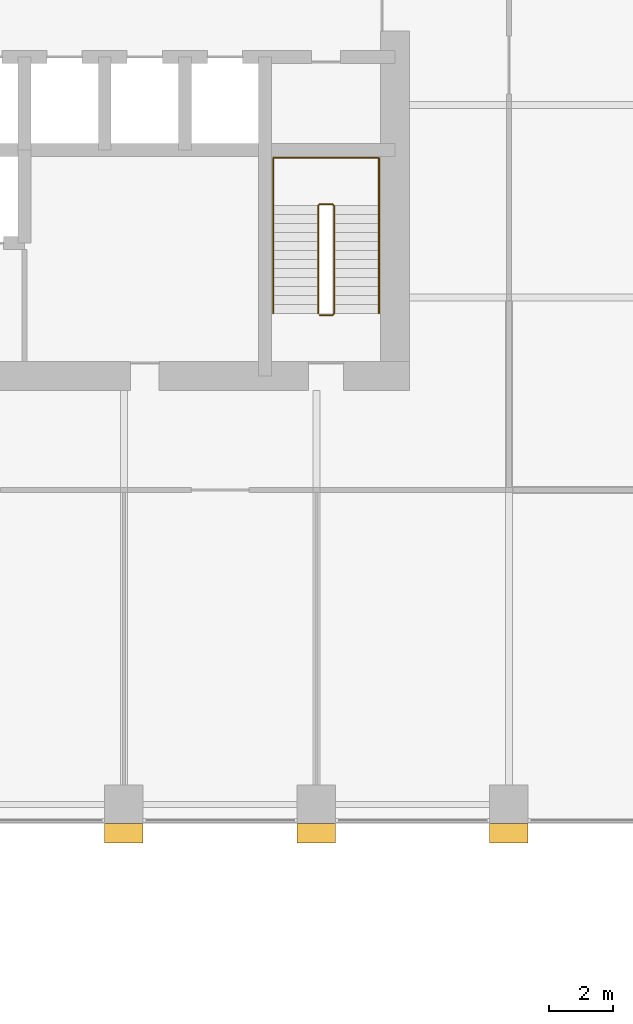
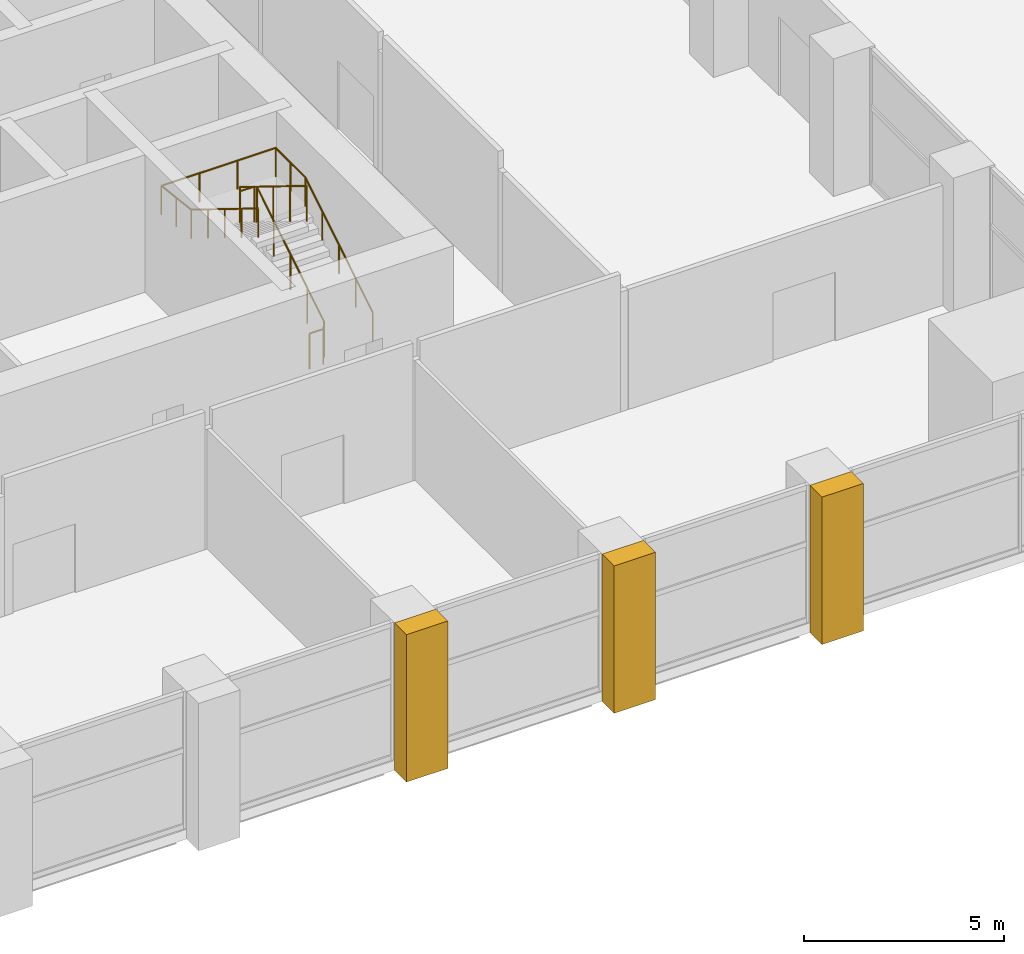
# One storey, part 30 of 34: 3 coverings, 2 railings.
"""IFC4 building model written with IfcOpenShell, lengths in metres."""

from ifc_helpers import new_model, si_unit, direction, frame, origin, origin_2d, place, context, subcontext, project, spatial, polyline, circle, outline, extrude, material, layer, layer_set, type_object, element, save


model = new_model("IFC4")

# Units and contexts
model_context = context("Model", 3, precision=1e-05, world=origin(), true_north=direction((0.0, 1.0)))
body_context = subcontext(model_context, "Body", "Model", "MODEL_VIEW")
ifc_project = project(units=[si_unit("LENGTHUNIT", "METRE"), si_unit("AREAUNIT", "SQUARE_METRE"), si_unit("VOLUMEUNIT", "CUBIC_METRE"), si_unit("PLANEANGLEUNIT", "RADIAN"), si_unit("MASSUNIT", "GRAM", prefix="KILO")], contexts=[model_context])

# Site, building, storey
site_placement = place(None, origin())
site = spatial("IfcSite", under=ifc_project, at=site_placement, CompositionType="ELEMENT")
building_placement = place(site_placement, origin())
building = spatial("IfcBuilding", under=site, at=building_placement, Name="Amberfall Residences", CompositionType="ELEMENT")
storey_placement = place(building_placement, frame((0.0, 0.0, 5.5)))
storey = spatial("IfcBuildingStorey", under=building, at=storey_placement, Name="L01", CompositionType="ELEMENT", Elevation=5.5)

# Coverings
ifc_material_1 = material(Name="Pale stone cladding on insulated backing", Category="masonry")
ifc_layer = layer(ifc_material_1, 1.199951171875)
ifc_layer_set = layer_set([ifc_layer], Name="Podium stone pier 1200 x 600")
covering_type = type_object("IfcCoveringType", Name="Podium stone pier 1200 x 600", PredefinedType="CLADDING", material=ifc_layer_set)
covering_1_placement = place(storey_placement, frame((0.0, 0.0, -0.300048828125)))
element("IfcCovering", 1, at=covering_1_placement, inside=storey, type_object=covering_type, Name="Podium pier L01 S4", PredefinedType="CLADDING", context=body_context, shape_type="SweptSolid", body=[
    extrude(outline(polyline([(77.0, 20.0), (78.199951171875, 20.0), (78.199951171875, 19.39990234375), (77.0, 19.39990234375), (77.0, 20.0)])), origin(), (0.0, 0.0, 1.0), 4.5),
])
covering_2_placement = place(storey_placement, frame((0.0, 0.0, -0.300048828125)))
element("IfcCovering", 2, at=covering_2_placement, inside=storey, type_object=covering_type, Name="Podium pier L01 S5", PredefinedType="CLADDING", context=body_context, shape_type="SweptSolid", body=[
    extrude(outline(polyline([(83.0, 20.0), (84.199951171875, 20.0), (84.199951171875, 19.39990234375), (83.0, 19.39990234375), (83.0, 20.0)])), origin(), (0.0, 0.0, 1.0), 4.5),
])
covering_3_placement = place(storey_placement, frame((0.0, 0.0, -0.300048828125)))
element("IfcCovering", 3, at=covering_3_placement, inside=storey, type_object=covering_type, Name="Podium pier L01 S6", PredefinedType="CLADDING", context=body_context, shape_type="SweptSolid", body=[
    extrude(outline(polyline([(89.0, 20.0), (90.199951171875, 20.0), (90.199951171875, 19.39990234375), (89.0, 19.39990234375), (89.0, 20.0)])), origin(), (0.0, 0.0, 1.0), 4.5),
])

# Railings
ifc_material_2 = material(Name="Stainless steel 316", Category="steel")
railing_type_1 = type_object("IfcRailingType", Name="Stair guard 1100", PredefinedType="GUARDRAIL", material=ifc_material_2)
railing_1_placement = place(storey_placement, frame((83.699951171875, 35.85009765625, 0.0)))
element("IfcRailing", 4, at=railing_1_placement, inside=storey, type_object=railing_type_1, Name="L01 stair 2 guard", PredefinedType="GUARDRAIL", context=body_context, shape_type="SweptSolid", body=[
    extrude(circle(Radius=0.02392578125, at=origin_2d()), frame((0.0, 0.0, 1.076171875), z_axis=(1.0, 0.0, 0.0), x_axis=(0.0, 1.0, 0.0)), (0.0, 0.0, 1.0), 0.400146484375),
    extrude(circle(Radius=0.02392578125, at=origin_2d()), frame((0.400146484375, 0.0, 1.076171875), z_axis=(0.26651005591, 0.26651005591, 0.926253086471), x_axis=(-0.707106781187, 0.707106781187, 0.0)), (0.0, 0.0, 1.0), 0.186767578125),
    extrude(circle(Radius=0.02392578125, at=origin_2d()), frame((0.449951171875, 0.0498046875, 1.2490234375), z_axis=(0.0, 0.850623216509, 0.525775754039), x_axis=(-1.0, 0.0, 0.0)), (0.0, 0.0, 1.0), 3.9501953125),
    extrude(circle(Radius=0.02392578125, at=origin_2d()), frame((0.449951171875, 3.409912109375, 3.326171875), z_axis=(-0.705375805398, 0.708833529934, 0.0), x_axis=(-0.708833529934, -0.705375805398, 0.0)), (0.0, 0.0, 1.0), 0.070556640625),
    extrude(circle(Radius=0.02392578125, at=origin_2d()), frame((0.400146484375, 3.4599609375, 3.326171875), z_axis=(-1.0, 0.0, 0.0), x_axis=(0.0, -1.0, 0.0)), (0.0, 0.0, 1.0), 0.400146484375),
    extrude(circle(Radius=0.02392578125, at=origin_2d()), frame((0.0, 3.4599609375, 3.326171875), z_axis=(-0.267629722418, -0.267629722418, 0.925607186314), x_axis=(0.707106781187, -0.707106781187, 0.0)), (0.0, 0.0, 1.0), 0.18701171875),
    extrude(circle(Radius=0.02392578125, at=origin_2d()), frame((-0.050048828125, 3.409912109375, 3.4990234375), z_axis=(0.0, -0.850623216509, 0.525775754039), x_axis=(1.0, 0.0, 0.0)), (0.0, 0.0, 1.0), 3.9501953125),
    extrude(circle(Radius=0.02099609375, at=origin_2d()), origin(), (0.0, 0.0, 1.0), 1.052001953125),
    extrude(circle(Radius=0.02099609375, at=origin_2d()), frame((0.400146484375, 0.0, 0.0)), (0.0, 0.0, 1.0), 1.052001953125),
    extrude(circle(Radius=0.02099609375, at=origin_2d()), frame((0.449951171875, 0.0498046875, 0.173095703125)), (0.0, 0.0, 1.0), 1.052001953125),
    extrude(circle(Radius=0.02099609375, at=origin_2d()), frame((0.449951171875, 0.889892578125, 0.6923828125)), (0.0, 0.0, 1.0), 1.052001953125),
    extrude(circle(Radius=0.02099609375, at=origin_2d()), frame((0.449951171875, 1.72998046875, 1.21142578125)), (0.0, 0.0, 1.0), 1.052001953125),
    extrude(circle(Radius=0.02099609375, at=origin_2d()), frame((0.449951171875, 2.56982421875, 1.730712890625)), (0.0, 0.0, 1.0), 1.052001953125),
    extrude(circle(Radius=0.02099609375, at=origin_2d()), frame((0.449951171875, 3.409912109375, 2.25)), (0.0, 0.0, 1.0), 1.052001953125),
    extrude(circle(Radius=0.02099609375, at=origin_2d()), frame((0.400146484375, 3.4599609375, 2.25)), (0.0, 0.0, 1.0), 1.052001953125),
    extrude(circle(Radius=0.02099609375, at=origin_2d()), frame((0.0, 3.4599609375, 2.25)), (0.0, 0.0, 1.0), 1.052001953125),
    extrude(circle(Radius=0.02099609375, at=origin_2d()), frame((-0.050048828125, 3.409912109375, 2.423095703125)), (0.0, 0.0, 1.0), 1.052001953125),
    extrude(circle(Radius=0.02099609375, at=origin_2d()), frame((-0.050048828125, 2.56982421875, 2.9423828125)), (0.0, 0.0, 1.0), 1.052001953125),
    extrude(circle(Radius=0.02099609375, at=origin_2d()), frame((-0.050048828125, 1.72998046875, 3.46142578125)), (0.0, 0.0, 1.0), 1.052001953125),
    extrude(circle(Radius=0.02099609375, at=origin_2d()), frame((-0.050048828125, 0.889892578125, 3.980712890625)), (0.0, 0.0, 1.0), 1.052001953125),
    extrude(circle(Radius=0.02099609375, at=origin_2d()), frame((-0.050048828125, 0.0498046875, 4.5)), (0.0, 0.0, 1.0), 1.052001953125),
])
railing_type_2 = type_object("IfcRailingType", Name="Stair handrail 900", PredefinedType="HANDRAIL", material=ifc_material_2)
railing_2_placement = place(storey_placement, frame((85.550048828125, 35.89990234375, 0.173095703125)))
element("IfcRailing", 5, at=railing_2_placement, inside=storey, type_object=railing_type_2, Name="L01 stair 2 handrail", PredefinedType="HANDRAIL", context=body_context, shape_type="SweptSolid", body=[
    extrude(circle(Radius=0.02392578125, at=origin_2d()), frame((0.0, 0.0, 0.8759765625), z_axis=(0.0, 0.850623216509, 0.525775754039), x_axis=(-1.0, 0.0, 0.0)), (0.0, 0.0, 1.0), 3.9501953125),
    extrude(circle(Radius=0.02392578125, at=origin_2d()), frame((0.0, 3.360107421875, 2.95263671875), z_axis=(0.0, 1.0, 0.0), x_axis=(-1.0, 0.0, 0.0)), (0.0, 0.0, 1.0), 1.489990234375),
    extrude(circle(Radius=0.02392578125, at=origin_2d()), frame((0.0, 4.85009765625, 2.95263671875), z_axis=(-1.0, 0.0, 0.0), x_axis=(0.0, -1.0, 0.0)), (0.0, 0.0, 1.0), 3.300048828125),
    extrude(circle(Radius=0.02392578125, at=origin_2d()), frame((-3.300048828125, 4.85009765625, 2.95263671875), z_axis=(0.0, -0.993319533971, 0.115396288642), x_axis=(1.0, 0.0, 0.0)), (0.0, 0.0, 1.0), 1.5),
    extrude(circle(Radius=0.02392578125, at=origin_2d()), frame((-3.300048828125, 3.360107421875, 3.1259765625), z_axis=(0.0, -0.850623216509, 0.525775754039), x_axis=(1.0, 0.0, 0.0)), (0.0, 0.0, 1.0), 3.9501953125),
    extrude(circle(Radius=0.02099609375, at=origin_2d()), origin(), (0.0, 0.0, 1.0), 0.851806640625),
    extrude(circle(Radius=0.02099609375, at=origin_2d()), frame((0.0, 0.840087890625, 0.519287109375)), (0.0, 0.0, 1.0), 0.851806640625),
    extrude(circle(Radius=0.02099609375, at=origin_2d()), frame((0.0, 1.68017578125, 1.03857421875)), (0.0, 0.0, 1.0), 0.851806640625),
    extrude(circle(Radius=0.02099609375, at=origin_2d()), frame((0.0, 2.52001953125, 1.5576171875)), (0.0, 0.0, 1.0), 0.851806640625),
    extrude(circle(Radius=0.02099609375, at=origin_2d()), frame((0.0, 3.360107421875, 2.076904296875)), (0.0, 0.0, 1.0), 0.851806640625),
    extrude(circle(Radius=0.02099609375, at=origin_2d()), frame((0.0, 4.10498046875, 2.076904296875)), (0.0, 0.0, 1.0), 0.851806640625),
    extrude(circle(Radius=0.02099609375, at=origin_2d()), frame((0.0, 4.85009765625, 2.076904296875)), (0.0, 0.0, 1.0), 0.851806640625),
    extrude(circle(Radius=0.02099609375, at=origin_2d()), frame((-1.10009765625, 4.85009765625, 2.076904296875)), (0.0, 0.0, 1.0), 0.851806640625),
    extrude(circle(Radius=0.02099609375, at=origin_2d()), frame((-2.199951171875, 4.85009765625, 2.076904296875)), (0.0, 0.0, 1.0), 0.851806640625),
    extrude(circle(Radius=0.02099609375, at=origin_2d()), frame((-3.300048828125, 4.85009765625, 2.076904296875)), (0.0, 0.0, 1.0), 0.851806640625),
    extrude(circle(Radius=0.02099609375, at=origin_2d()), frame((-3.300048828125, 4.10498046875, 2.16357421875)), (0.0, 0.0, 1.0), 0.851806640625),
    extrude(circle(Radius=0.02099609375, at=origin_2d()), frame((-3.300048828125, 3.360107421875, 2.25)), (0.0, 0.0, 1.0), 0.851806640625),
    extrude(circle(Radius=0.02099609375, at=origin_2d()), frame((-3.300048828125, 2.52001953125, 2.769287109375)), (0.0, 0.0, 1.0), 0.851806640625),
    extrude(circle(Radius=0.02099609375, at=origin_2d()), frame((-3.300048828125, 1.68017578125, 3.28857421875)), (0.0, 0.0, 1.0), 0.851806640625),
    extrude(circle(Radius=0.02099609375, at=origin_2d()), frame((-3.300048828125, 0.840087890625, 3.8076171875)), (0.0, 0.0, 1.0), 0.851806640625),
    extrude(circle(Radius=0.02099609375, at=origin_2d()), frame((-3.300048828125, 0.0, 4.326904296875)), (0.0, 0.0, 1.0), 0.851806640625),
])

save(model, "model.ifc")
